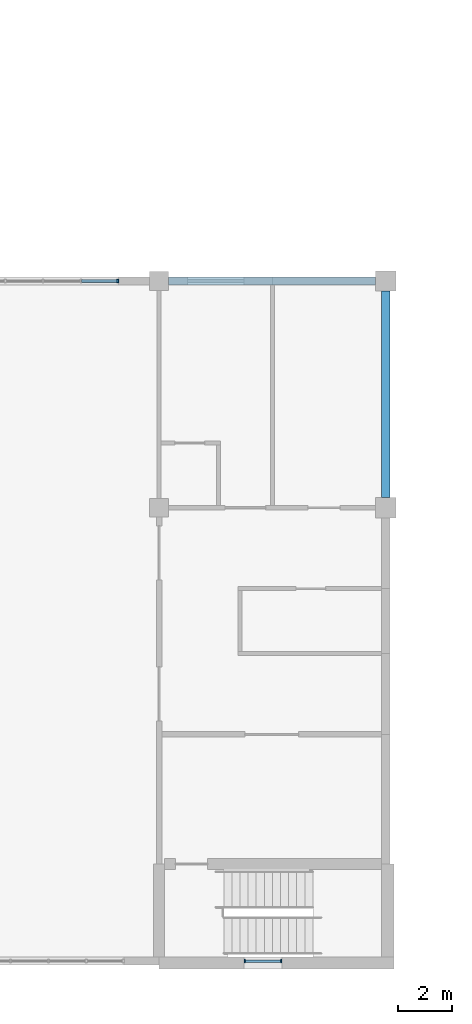
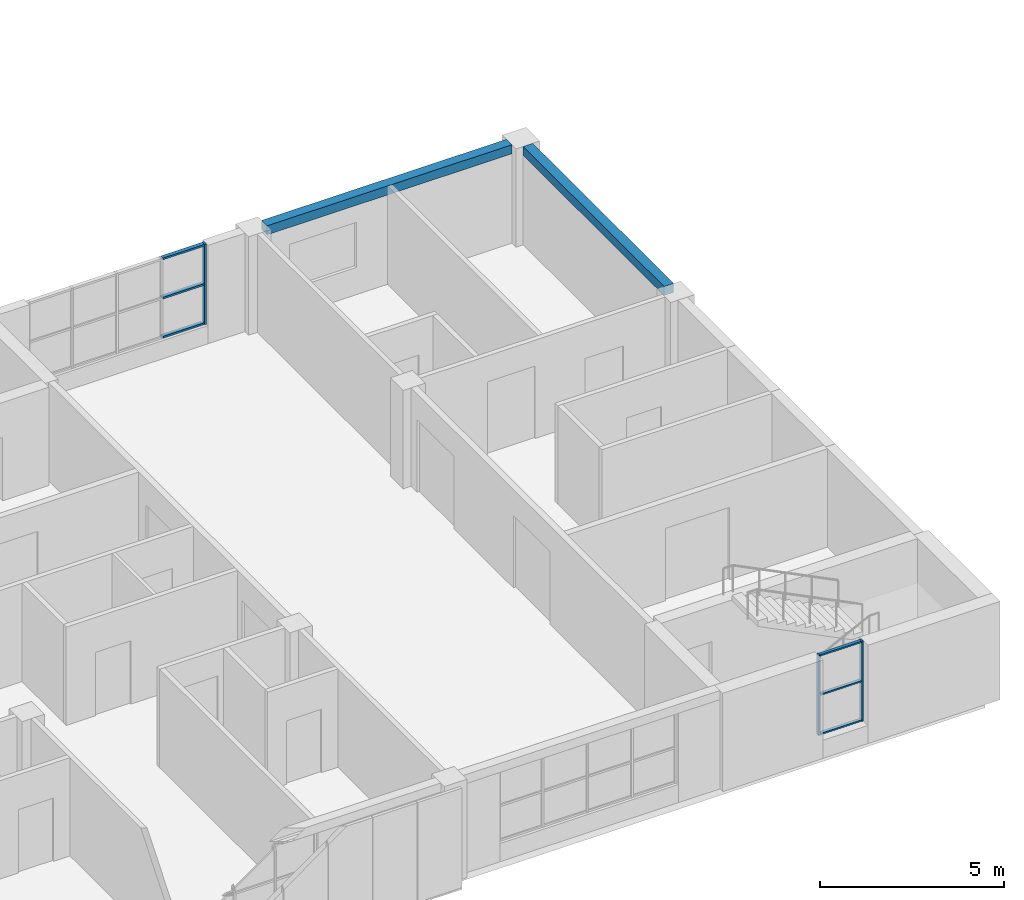
# One storey, part 5 of 46: 9 members, 2 beams, 2 elements without a shape of their own.
"""IFC4 building model written with IfcOpenShell, lengths in metres."""

from ifc_helpers import new_model, si_unit, direction, frame, origin, origin_2d, place, context, subcontext, project, spatial, rectangle, extrude, material, material_profile, profile_set, type_object, element, aggregate, save


model = new_model("IFC4")

# Units and contexts
model_context = context("Model", 3, precision=1e-05, world=origin(), true_north=direction((0.0, 1.0)))
body_context = subcontext(model_context, "Body", "Model", "MODEL_VIEW")
ifc_project = project(units=[si_unit("LENGTHUNIT", "METRE"), si_unit("AREAUNIT", "SQUARE_METRE"), si_unit("VOLUMEUNIT", "CUBIC_METRE"), si_unit("PLANEANGLEUNIT", "RADIAN"), si_unit("MASSUNIT", "GRAM", prefix="KILO")], contexts=[model_context])

# Site, building, storey
site_placement = place(None, origin())
site = spatial("IfcSite", under=ifc_project, at=site_placement, CompositionType="ELEMENT")
building_placement = place(site_placement, origin())
building = spatial("IfcBuilding", under=site, at=building_placement, Name="Yavir Park General Hospital", CompositionType="ELEMENT")
storey_placement = place(building_placement, frame((0.0, 0.0, 18.89990234375)))
storey = spatial("IfcBuildingStorey", under=building, at=storey_placement, Name="L04", CompositionType="ELEMENT", Elevation=18.89990234375)

# Curtain wall, members
ifc_material_1 = material(Name="Aluminium curtain wall frame with insulated glazing", Category="aluminium")
curtain_wall_type_1 = type_object("IfcCurtainWallType", Name="Day room pocket glazing, ward floors, 2660 high, 1400 module", PredefinedType="NOTDEFINED", material=ifc_material_1)
curtain_wall_1_placement = place(storey_placement, origin())
curtain_wall_1 = element("IfcCurtainWall", 1, at=curtain_wall_1_placement, inside=storey, type_object=curtain_wall_type_1, Name="CW62 L04-009", PredefinedType="NOTDEFINED")
ifc_material_2 = material(Name="Aluminium", Category="aluminium")
ifc_material_profile_1 = material_profile(ifc_material_2, rectangle(XDim=0.139892578125, YDim=0.06005859375, at=origin_2d()), Name="AL 60x140")
ifc_profile_set_1 = profile_set([ifc_material_profile_1], Name="Aluminium")
member_type_1 = type_object("IfcMemberType", Name="Day room pocket glazing, ward floors, 2660 high mullion 60 x 140", PredefinedType="MULLION", material=ifc_profile_set_1)
member_1_placement = place(storey_placement, frame((32.070068359375, 25.199951171875, 0.60009765625), z_axis=(0.0, 0.0, 1.0), x_axis=(0.0, 1.0, 0.0)))
member_1 = element("IfcMember", 2, at=member_1_placement, type_object=member_type_1, Name="CW62 mullion 5", PredefinedType="MULLION", context=body_context, shape_type="SweptSolid", body=[
    extrude(rectangle(XDim=0.139892578125, YDim=0.06005859375, at=origin_2d()), origin(), (0.0, 0.0, 1.0), 2.659912109375),
])
ifc_material_3 = material(Name="Aluminium", Category="aluminium")
ifc_material_profile_2 = material_profile(ifc_material_3, rectangle(XDim=0.1201171875, YDim=0.06005859375, at=origin_2d()), Name="AL 120x60")
ifc_profile_set_2 = profile_set([ifc_material_profile_2], Name="Aluminium")
member_type_2 = type_object("IfcMemberType", Name="Day room pocket glazing, ward floors, 2660 high transom 60 x 120", PredefinedType="MULLION", material=ifc_profile_set_2)
member_2_placement = place(storey_placement, frame((30.72998046875, 25.199951171875, 0.630126953125), z_axis=(1.0, 0.0, 0.0), x_axis=(0.0, 1.0, 0.0)))
member_2 = element("IfcMember", 3, at=member_2_placement, type_object=member_type_2, Name="CW62 transom 4.1", PredefinedType="MULLION", context=body_context, shape_type="SweptSolid", body=[
    extrude(rectangle(XDim=0.1201171875, YDim=0.06005859375, at=origin_2d()), origin(), (0.0, 0.0, 1.0), 1.31005859375),
])
member_3_placement = place(storey_placement, frame((30.72998046875, 25.199951171875, 1.93017578125), z_axis=(1.0, 0.0, 0.0), x_axis=(0.0, 1.0, 0.0)))
member_3 = element("IfcMember", 4, at=member_3_placement, type_object=member_type_2, Name="CW62 transom 4.2", PredefinedType="MULLION", context=body_context, shape_type="SweptSolid", body=[
    extrude(rectangle(XDim=0.1201171875, YDim=0.06005859375, at=origin_2d()), origin(), (0.0, 0.0, 1.0), 1.31005859375),
])
member_4_placement = place(storey_placement, frame((30.72998046875, 25.199951171875, 3.22998046875), z_axis=(1.0, 0.0, 0.0), x_axis=(0.0, 1.0, 0.0)))
member_4 = element("IfcMember", 5, at=member_4_placement, type_object=member_type_2, Name="CW62 transom 4.3", PredefinedType="MULLION", context=body_context, shape_type="SweptSolid", body=[
    extrude(rectangle(XDim=0.1201171875, YDim=0.06005859375, at=origin_2d()), origin(), (0.0, 0.0, 1.0), 1.31005859375),
])
aggregate(curtain_wall_1, [member_1, member_2, member_3, member_4])

# Beams
ifc_material_4 = material(Name="Concrete C35/45", Category="concrete")
ifc_material_profile_3 = material_profile(ifc_material_4, rectangle(XDim=0.300048828125, YDim=0.300048828125, at=origin_2d()), Name="RC300x300")
ifc_profile_set_3 = profile_set([ifc_material_profile_3], Name="Concrete C35/45")
beam_type = type_object("IfcBeamType", Name="RC BEAM 300x300 edge beam", PredefinedType="BEAM", material=ifc_profile_set_3)
beam_1_placement = place(storey_placement, frame((33.949951171875, 25.199951171875, 3.110107421875), z_axis=(1.0, 0.0, 0.0), x_axis=(0.0, 1.0, 0.0)))
element("IfcBeam", 6, at=beam_1_placement, inside=storey, type_object=beam_type, Name="B:EDGE:L04:011", PredefinedType="BEAM", context=body_context, shape_type="SweptSolid", body=[
    extrude(rectangle(XDim=0.300048828125, YDim=0.300048828125, at=origin_2d()), origin(), (0.0, 0.0, 1.0), 7.675048828125),
])
beam_2_placement = place(storey_placement, frame((42.0, 17.175048828125, 3.110107421875), z_axis=(0.0, 1.0, 0.0), x_axis=(-1.0, 0.0, 0.0)))
element("IfcBeam", 7, at=beam_2_placement, inside=storey, type_object=beam_type, Name="B:EDGE:L04:035", PredefinedType="BEAM", context=body_context, shape_type="SweptSolid", body=[
    extrude(rectangle(XDim=0.300048828125, YDim=0.300048828125, at=origin_2d()), origin(), (0.0, 0.0, 1.0), 7.64990234375),
])

# Curtain wall, members
ifc_material_5 = material(Name="Aluminium curtain wall frame with insulated glazing", Category="aluminium")
curtain_wall_type_2 = type_object("IfcCurtainWallType", Name="Stair light slot, ward floors, 2660 high, 1400 module", PredefinedType="NOTDEFINED", material=ifc_material_5)
curtain_wall_2_placement = place(storey_placement, origin())
curtain_wall_2 = element("IfcCurtainWall", 8, at=curtain_wall_2_placement, inside=storey, type_object=curtain_wall_type_2, Name="CW10 L04-003", PredefinedType="NOTDEFINED")
ifc_material_6 = material(Name="Aluminium", Category="aluminium")
ifc_material_profile_4 = material_profile(ifc_material_6, rectangle(XDim=0.1201171875, YDim=0.050048828125, at=origin_2d()), Name="AL 50x120")
ifc_profile_set_4 = profile_set([ifc_material_profile_4], Name="Aluminium")
member_type_3 = type_object("IfcMemberType", Name="Stair light slot, ward floors, 2660 high mullion 50 x 120", PredefinedType="MULLION", material=ifc_profile_set_4)
member_5_placement = place(storey_placement, frame((36.77490234375, 0.0, 0.60009765625), z_axis=(0.0, 0.0, 1.0), x_axis=(0.0, 1.0, 0.0)))
member_5 = element("IfcMember", 9, at=member_5_placement, type_object=member_type_3, Name="CW10 mullion 1", PredefinedType="MULLION", context=body_context, shape_type="SweptSolid", body=[
    extrude(rectangle(XDim=0.1201171875, YDim=0.050048828125, at=origin_2d()), origin(), (0.0, 0.0, 1.0), 2.659912109375),
])
member_6_placement = place(storey_placement, frame((38.125, 0.0, 0.60009765625), z_axis=(0.0, 0.0, 1.0), x_axis=(0.0, 1.0, 0.0)))
member_6 = element("IfcMember", 10, at=member_6_placement, type_object=member_type_3, Name="CW10 mullion 2", PredefinedType="MULLION", context=body_context, shape_type="SweptSolid", body=[
    extrude(rectangle(XDim=0.1201171875, YDim=0.050048828125, at=origin_2d()), origin(), (0.0, 0.0, 1.0), 2.659912109375),
])
ifc_material_7 = material(Name="Aluminium", Category="aluminium")
ifc_material_profile_5 = material_profile(ifc_material_7, rectangle(XDim=0.10009765625, YDim=0.050048828125, at=origin_2d()), Name="AL 100x50")
ifc_profile_set_5 = profile_set([ifc_material_profile_5], Name="Aluminium")
member_type_4 = type_object("IfcMemberType", Name="Stair light slot, ward floors, 2660 high transom 50 x 100", PredefinedType="MULLION", material=ifc_profile_set_5)
member_7_placement = place(storey_placement, frame((36.800048828125, 0.0, 0.625), z_axis=(1.0, 0.0, 0.0), x_axis=(0.0, 1.0, 0.0)))
member_7 = element("IfcMember", 11, at=member_7_placement, type_object=member_type_4, Name="CW10 transom 1.1", PredefinedType="MULLION", context=body_context, shape_type="SweptSolid", body=[
    extrude(rectangle(XDim=0.10009765625, YDim=0.050048828125, at=origin_2d()), origin(), (0.0, 0.0, 1.0), 1.300048828125),
])
member_8_placement = place(storey_placement, frame((36.800048828125, 0.0, 1.93017578125), z_axis=(1.0, 0.0, 0.0), x_axis=(0.0, 1.0, 0.0)))
member_8 = element("IfcMember", 12, at=member_8_placement, type_object=member_type_4, Name="CW10 transom 1.2", PredefinedType="MULLION", context=body_context, shape_type="SweptSolid", body=[
    extrude(rectangle(XDim=0.10009765625, YDim=0.050048828125, at=origin_2d()), origin(), (0.0, 0.0, 1.0), 1.300048828125),
])
member_9_placement = place(storey_placement, frame((36.800048828125, 0.0, 3.235107421875), z_axis=(1.0, 0.0, 0.0), x_axis=(0.0, 1.0, 0.0)))
member_9 = element("IfcMember", 13, at=member_9_placement, type_object=member_type_4, Name="CW10 transom 1.3", PredefinedType="MULLION", context=body_context, shape_type="SweptSolid", body=[
    extrude(rectangle(XDim=0.10009765625, YDim=0.050048828125, at=origin_2d()), origin(), (0.0, 0.0, 1.0), 1.300048828125),
])
aggregate(curtain_wall_2, [member_5, member_6, member_7, member_8, member_9])

save(model, "model.ifc")
